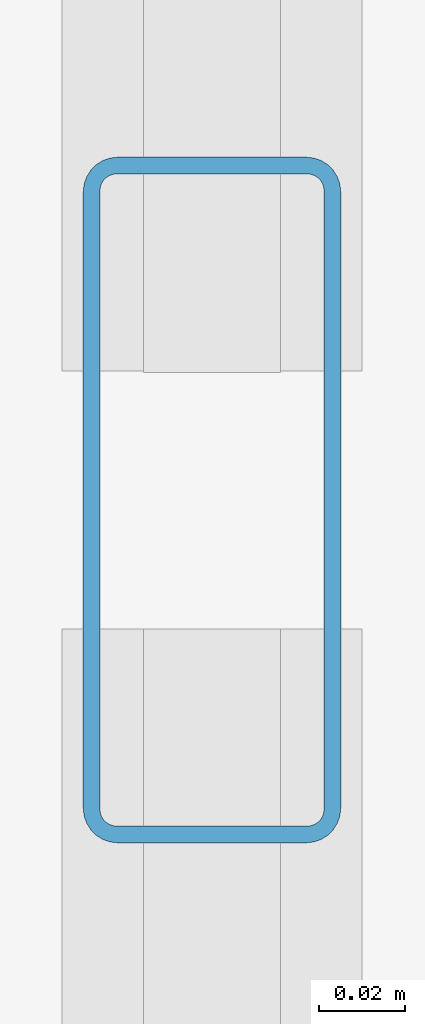
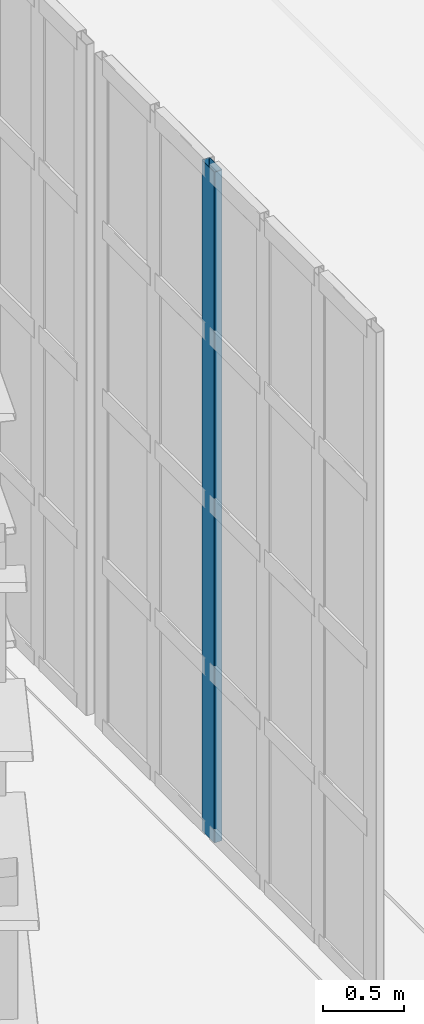
# One storey, part 272 of 372: 1 member, 1 element without a shape of its own.
"""IFC4 building model written with IfcOpenShell, lengths in metres."""

from ifc_helpers import new_model, si_unit, direction, frame, origin, origin_2d, place, context, subcontext, project, spatial, hollow_rectangle, extrude, material, material_profile, profile_set, type_object, element, aggregate, save


model = new_model("IFC4")

# Units and contexts
model_context = context("Model", 3, precision=1e-05, world=origin(), true_north=direction((0.0, 1.0)))
body_context = subcontext(model_context, "Body", "Model", "MODEL_VIEW")
ifc_project = project(units=[si_unit("LENGTHUNIT", "METRE"), si_unit("AREAUNIT", "SQUARE_METRE"), si_unit("VOLUMEUNIT", "CUBIC_METRE"), si_unit("PLANEANGLEUNIT", "RADIAN"), si_unit("MASSUNIT", "GRAM", prefix="KILO")], contexts=[model_context])

# Site, building, storey
site_placement = place(None, origin())
site = spatial("IfcSite", under=ifc_project, at=site_placement, CompositionType="ELEMENT")
building_placement = place(site_placement, origin())
building = spatial("IfcBuilding", under=site, at=building_placement, Name="Kaelora Sail Theatre", CompositionType="ELEMENT")
storey_placement = place(building_placement, origin())
storey = spatial("IfcBuildingStorey", under=building, at=storey_placement, Name="L00", CompositionType="ELEMENT", Elevation=0.0)

# Curtain wall, member
ifc_material_1 = material(Name="Anodised aluminium and solar-control low-E IGU", Category="aluminium")
curtain_wall_type = type_object("IfcCurtainWallType", Name="ARC-CW-CW-FOY2", PredefinedType="NOTDEFINED", material=ifc_material_1)
curtain_wall_placement = place(storey_placement, origin())
curtain_wall = element("IfcCurtainWall", 1, at=curtain_wall_placement, inside=storey, type_object=curtain_wall_type, Name="Glazed Colonnade/Courtyard Curtain Wall COLE-W-L00-01", PredefinedType="NOTDEFINED")
ifc_material_2 = material(Name="Anodised aluminium 6063-T6", Category="aluminium")
ifc_material_profile = material_profile(ifc_material_2, hollow_rectangle(XDim=0.06005859375, YDim=0.159912109375, WallThickness=0.00390625, InnerFilletRadius=0.00390625, OuterFilletRadius=0.008056640625, at=origin_2d()), Name="ALU-MULL 60x160x4")
ifc_profile_set = profile_set([ifc_material_profile], Name="Anodised aluminium 6063-T6")
member_type = type_object("IfcMemberType", Name="ARC-MEM-ML-160", PredefinedType="MULLION", material=ifc_profile_set)
member_placement = place(storey_placement, frame((147.489990234375, 33.840087890625, 0.0), z_axis=(0.0, 0.0, 1.0), x_axis=(-1.0, 0.0, 0.0)))
member = element("IfcMember", 2, at=member_placement, type_object=member_type, Name="CW-FOY2 mullion 4", PredefinedType="MULLION", context=body_context, shape_type="SweptSolid", body=[
    extrude(hollow_rectangle(XDim=0.06005859375, YDim=0.159912109375, WallThickness=0.00390625, InnerFilletRadius=0.00390625, OuterFilletRadius=0.008056640625, at=origin_2d()), origin(), (0.0, 0.0, 1.0), 5.0849609375),
])
aggregate(curtain_wall, [member])

save(model, "model.ifc")
